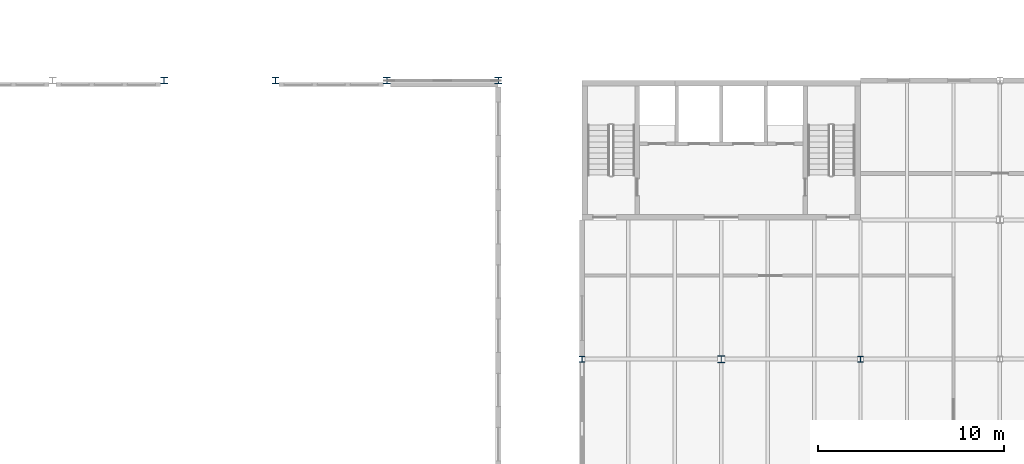
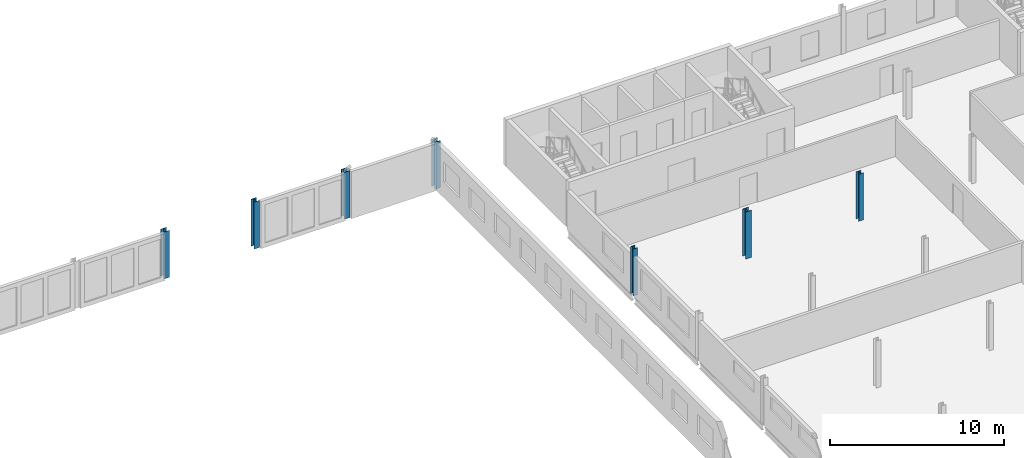
# One storey, part 7 of 199: 7 columns.
"""IFC4 building model written with IfcOpenShell, lengths in metres."""

from ifc_helpers import new_model, si_unit, direction, frame, origin, origin_2d, place, context, subcontext, project, spatial, i_section, extrude, material, material_profile, profile_set, type_object, element, save


model = new_model("IFC4")

# Units and contexts
model_context = context("Model", 3, precision=1e-05, world=origin(), true_north=direction((0.0, 1.0)))
body_context = subcontext(model_context, "Body", "Model", "MODEL_VIEW")
ifc_project = project(units=[si_unit("LENGTHUNIT", "METRE"), si_unit("AREAUNIT", "SQUARE_METRE"), si_unit("VOLUMEUNIT", "CUBIC_METRE"), si_unit("PLANEANGLEUNIT", "RADIAN"), si_unit("MASSUNIT", "GRAM", prefix="KILO")], contexts=[model_context])

# Site, building, storey
site_placement = place(None, origin())
site = spatial("IfcSite", under=ifc_project, at=site_placement, CompositionType="ELEMENT")
building_placement = place(site_placement, origin())
building = spatial("IfcBuilding", under=site, at=building_placement, Name="Parallax Yard Mobility Hub", CompositionType="ELEMENT")
storey_placement = place(building_placement, frame((0.0, 0.0, 9.89990234375)))
storey = spatial("IfcBuildingStorey", under=building, at=storey_placement, Name="L03", CompositionType="ELEMENT", Elevation=9.89990234375)

# Columns
ifc_material = material(Name="Steel ASTM A992", Category="steel")
ifc_material_profile_1 = material_profile(ifc_material, i_section(OverallWidth=0.306884765625, OverallDepth=0.318115234375, WebThickness=0.01318359375, FlangeThickness=0.0205078125, FilletRadius=0.01513671875, at=origin_2d()), Name="W310x129")
ifc_profile_set_1 = profile_set([ifc_material_profile_1], Name="Steel ASTM A992")
column_type_1 = type_object("IfcColumnType", Name="W310x129 column", PredefinedType="COLUMN", material=ifc_profile_set_1)
for number, where, z_axis, x_axis, name in (
    (1, (97.5, 37.5, 0.0), (0.0, 0.0, 1.0), (1.0, 0.0, 0.0), "Column C3 level L03 at F/14 of mobility service centre and workshops"),
    (2, (112.5, 37.5, 0.0), (0.0, 0.0, 1.0), (1.0, 0.0, 0.0), "Column C3 level L03 at F/16 of mobility service centre and workshops"),
):
    element("IfcColumn", number, at=place(storey_placement, frame(where, z_axis=z_axis, x_axis=x_axis)), inside=storey, type_object=column_type_1, Name=name, PredefinedType="COLUMN", context=body_context, shape_type="SweptSolid", body=[
        extrude(i_section(OverallWidth=0.306884765625, OverallDepth=0.318115234375, WebThickness=0.01318359375, FlangeThickness=0.0205078125, FilletRadius=0.01513671875, at=origin_2d()), origin(), (0.0, 0.0, 1.0), 3.300048828125),
    ])
ifc_material_profile_2 = material_profile(ifc_material, i_section(OverallWidth=0.373046875, OverallDepth=0.367919921875, WebThickness=0.014892578125, FlangeThickness=0.02392578125, FilletRadius=0.01513671875, at=origin_2d()), Name="W360x179")
ifc_profile_set_2 = profile_set([ifc_material_profile_2], Name="Steel ASTM A992")
column_type_2 = type_object("IfcColumnType", Name="W360x179 column", PredefinedType="COLUMN", material=ifc_profile_set_2)
for number, where, z_axis, x_axis, name in (
    (3, (75.0, 52.5, 0.0), (0.0, 0.0, 1.0), (1.0, 0.0, 0.0), "Ridge column F12 north level L03"),
    (4, (81.0, 52.5, 0.0), (0.0, 0.0, 1.0), (1.0, 0.0, 0.0), "Valley column F13 north level L03"),
    (5, (87.0, 52.5, 0.0), (0.0, 0.0, 1.0), (1.0, 0.0, 0.0), "Ridge column F14 north level L03"),
    (6, (93.0, 52.5, 0.0), (0.0, 0.0, 1.0), (1.0, 0.0, 0.0), "Valley column F15 north level L03"),
):
    element("IfcColumn", number, at=place(storey_placement, frame(where, z_axis=z_axis, x_axis=x_axis)), inside=storey, type_object=column_type_2, Name=name, PredefinedType="COLUMN", context=body_context, shape_type="SweptSolid", body=[
        extrude(i_section(OverallWidth=0.373046875, OverallDepth=0.367919921875, WebThickness=0.014892578125, FlangeThickness=0.02392578125, FilletRadius=0.01513671875, at=origin_2d()), origin(), (0.0, 0.0, 1.0), 3.300048828125),
    ])
ifc_material_profile_3 = material_profile(ifc_material, i_section(OverallWidth=0.39404296875, OverallDepth=0.3759765625, WebThickness=0.017333984375, FlangeThickness=0.027587890625, FilletRadius=0.01513671875, at=origin_2d()), Name="W360x216")
ifc_profile_set_3 = profile_set([ifc_material_profile_3], Name="Steel ASTM A992")
column_type_3 = type_object("IfcColumnType", Name="W360x216 column", PredefinedType="COLUMN", material=ifc_profile_set_3)
column_placement = place(storey_placement, frame((105.0, 37.5, 0.0), z_axis=(0.0, 0.0, 1.0), x_axis=(1.0, 0.0, 0.0)))
element("IfcColumn", 7, at=column_placement, inside=storey, type_object=column_type_3, Name="Column C9 level L03 at F/15 of mobility service centre and workshops", PredefinedType="COLUMN", context=body_context, shape_type="SweptSolid", body=[
    extrude(i_section(OverallWidth=0.39404296875, OverallDepth=0.3759765625, WebThickness=0.017333984375, FlangeThickness=0.027587890625, FilletRadius=0.01513671875, at=origin_2d()), origin(), (0.0, 0.0, 1.0), 3.300048828125),
])

save(model, "model.ifc")
